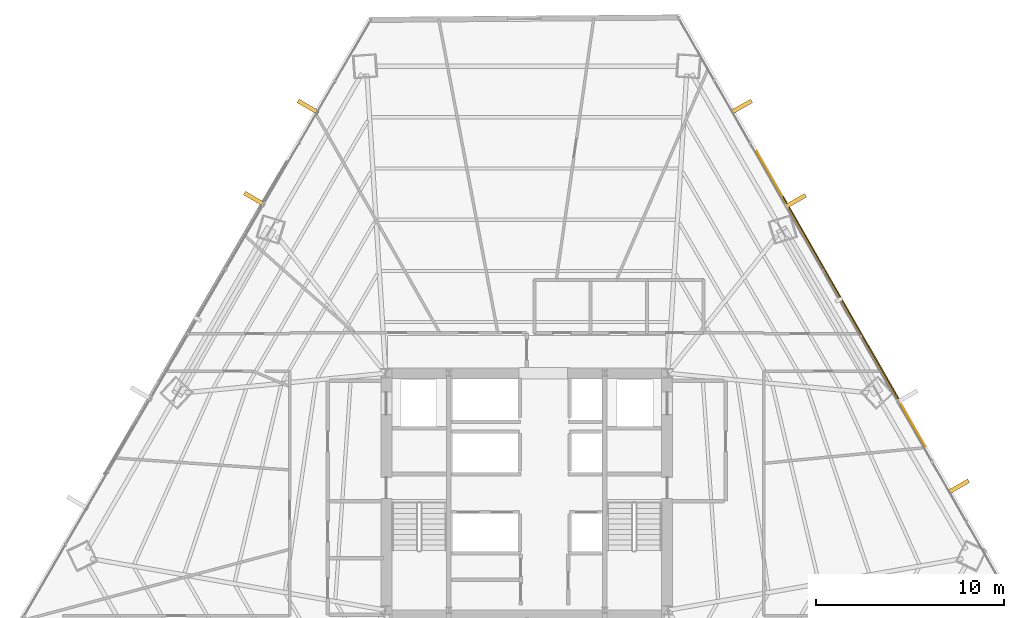
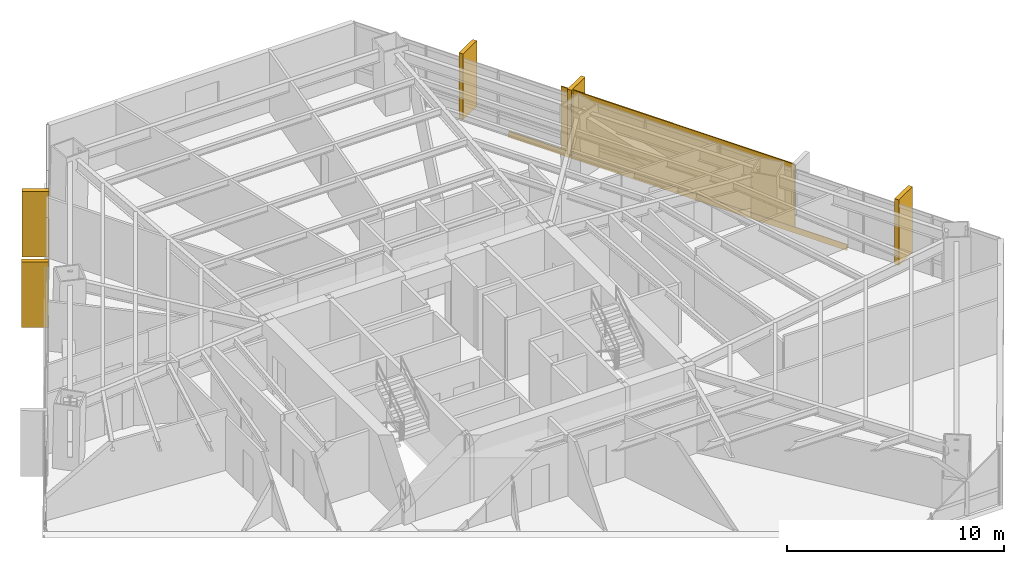
# One storey, part 34 of 34: 6 coverings, 1 shading device.
"""IFC4 building model written with IfcOpenShell, lengths in metres."""

from ifc_helpers import new_model, si_unit, direction, frame, origin, origin_2d, place, context, subcontext, project, spatial, rectangle, extrude, source, transform, mapped, material, layer, layer_set, type_object, type_shapes, element, save


model = new_model("IFC4")

# Units and contexts
model_context = context("Model", 3, precision=1e-05, world=origin(), true_north=direction((0.0, 1.0)))
body_context = subcontext(model_context, "Body", "Model", "MODEL_VIEW")
ifc_project = project(units=[si_unit("LENGTHUNIT", "METRE"), si_unit("AREAUNIT", "SQUARE_METRE"), si_unit("VOLUMEUNIT", "CUBIC_METRE"), si_unit("PLANEANGLEUNIT", "RADIAN"), si_unit("MASSUNIT", "GRAM", prefix="KILO")], contexts=[model_context])

# Site, building, storey
site_placement = place(None, origin())
site = spatial("IfcSite", under=ifc_project, at=site_placement, CompositionType="ELEMENT")
building_placement = place(site_placement, origin())
building = spatial("IfcBuilding", under=site, at=building_placement, Name="Caelisora Broadcast Tower", CompositionType="ELEMENT")
storey_placement = place(building_placement, frame((0.0, 0.0, 56.800048828125)))
storey = spatial("IfcBuildingStorey", under=building, at=storey_placement, Name="L14", CompositionType="ELEMENT", Elevation=56.800048828125)

# Coverings
ifc_material_1 = material(Name="Kiln-Fired Terracotta Spandrel Rainscreen Cladding", Category="ceramic")
ifc_layer_1 = layer(ifc_material_1, 0.044921875, Name="Kiln-Fired Terracotta Spandrel Rainscreen Cladding")
ifc_layer_set_1 = layer_set([ifc_layer_1], Name="Kiln-Fired Terracotta Spandrel Rainscreen Cladding")
covering_type = type_object("IfcCoveringType", Name="CL-1", PredefinedType="CLADDING", material=ifc_layer_set_1)
shared_shape_1 = source(origin(), body_context, "Body", "SweptSolid", [
    extrude(rectangle(XDim=0.219970703125, YDim=1.25, at=origin_2d()), origin(), (0.0, 0.0, 1.0), 3.68994140625),
])
for number, where, z_axis, x_axis, name in (
    (1, (49.414794921875, 44.172607421875, -0.02001953125), (0.0, 0.0, 1.0), (0.496064966839, -0.868285407383, 0.0), "L14 vertical solar fin cladding #1-1"),
    (2, (52.2841796875, 39.149169921875, -0.02001953125), (0.0, 0.0, 1.0), (0.496064966839, -0.868285407383, 0.0), "L14 vertical solar fin cladding #1-2"),
    (3, (60.9541015625, 23.971923828125, -0.02001953125), (0.0, 0.0, 1.0), (0.496064966839, -0.868285407383, 0.0), "L14 vertical solar fin cladding #1-4"),
    (4, (23.5283203125, 39.2705078125, -0.02001953125), (0.0, 0.0, 1.0), (0.50286909456, 0.864362582332, 0.0), "L14 vertical solar fin cladding #3-3"),
    (5, (26.379150390625, 44.17041015625, -0.02001953125), (0.0, 0.0, 1.0), (0.50286909456, 0.864362582332, 0.0), "L14 vertical solar fin cladding #3-4"),
):
    element("IfcCovering", number, at=place(storey_placement, frame(where, z_axis=z_axis, x_axis=x_axis)), inside=storey, type_object=covering_type, Name=name, PredefinedType="CLADDING", context=body_context, shape_type="MappedRepresentation", body=[
        mapped(shared_shape_1, transform((0.0, 0.0, 0.0), scale=1.0)),
    ])

# Shading device
ifc_material_2 = material(Name="Perforated Glazed Terracotta Baguette Solar Screen", Category="ceramic")
ifc_layer_2 = layer(ifc_material_2, 0.06494140625, Name="Perforated Glazed Terracotta Baguette Solar Screen")
ifc_layer_set_2 = layer_set([ifc_layer_2], Name="Perforated Glazed Terracotta Baguette Solar Screen")
shading_device_type = type_object("IfcShadingDeviceType", Name="SS-1", PredefinedType="USERDEFINED", material=ifc_layer_set_2)
shared_shape_2 = source(origin(), body_context, "Body", "SweptSolid", [
    extrude(rectangle(XDim=12.5048828125, YDim=0.06494140625, at=origin_2d()), origin(), (0.0, 0.0, 1.0), 3.590087890625),
])
type_shapes(shading_device_type, [shared_shape_2])
shading_device_placement = place(storey_placement, frame((54.725830078125, 33.96826171875, 0.0), z_axis=(0.0, 0.0, 1.0), x_axis=(-0.496064966839, 0.868285407383, 0.0)))
element("IfcShadingDevice", 6, at=shading_device_placement, inside=storey, type_object=shading_device_type, Name="L14 perforated terracotta solar screen #3", ObjectType="SOLAR SCREEN", PredefinedType="USERDEFINED", context=body_context, shape_type="MappedRepresentation", body=[
    mapped(shared_shape_2, transform((0.0, 0.0, 0.0), scale=1.0)),
])

# Covering
shared_shape_3 = source(origin(), body_context, "Body", "SweptSolid", [
    extrude(rectangle(XDim=18.06298828125, YDim=0.044921875, at=origin_2d()), origin(), (0.0, 0.0, 1.0), 0.340087890625),
])
type_shapes(covering_type, [shared_shape_1, shared_shape_3])
covering_placement = place(storey_placement, frame((54.70849609375, 33.958251953125, -0.27001953125), z_axis=(0.0, 0.0, 1.0), x_axis=(-0.496064966839, 0.868285407383, 0.0)))
element("IfcCovering", 7, at=covering_placement, inside=storey, type_object=covering_type, Name="L14 terracotta spandrel rainscreen #3", PredefinedType="CLADDING", context=body_context, shape_type="MappedRepresentation", body=[
    mapped(shared_shape_3, transform((0.0, 0.0, 0.0), scale=1.0)),
])

save(model, "model.ifc")
